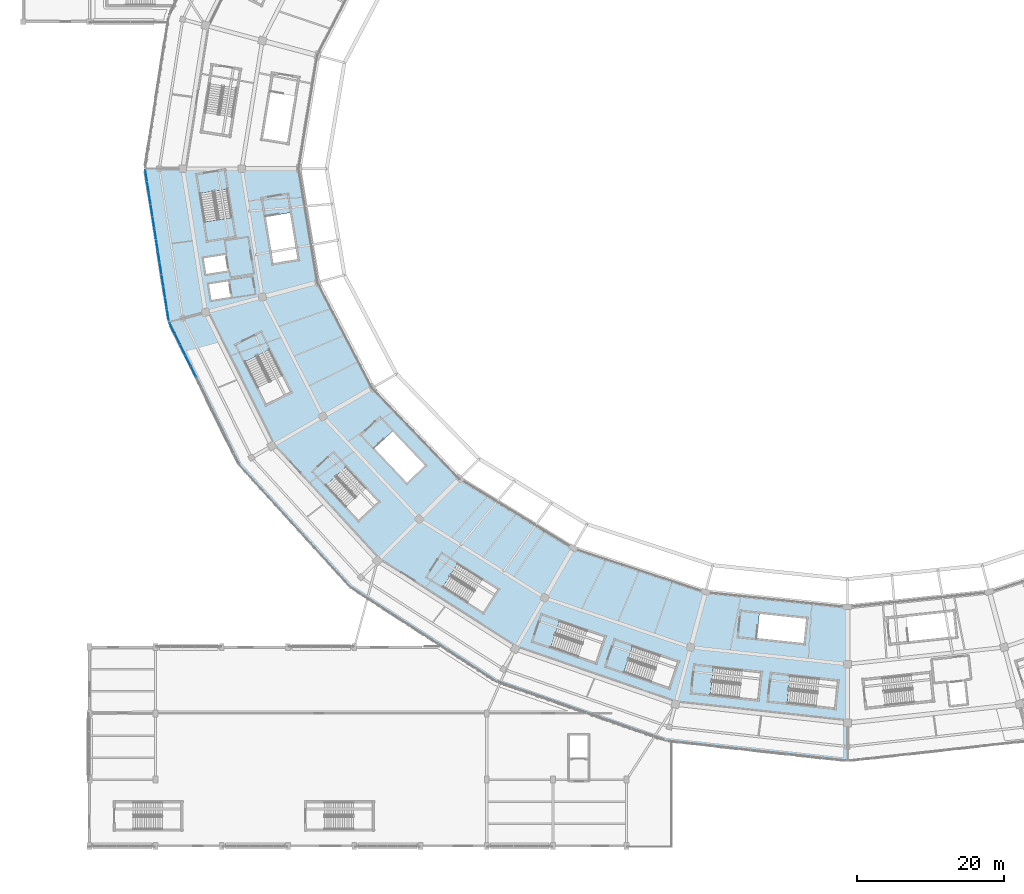
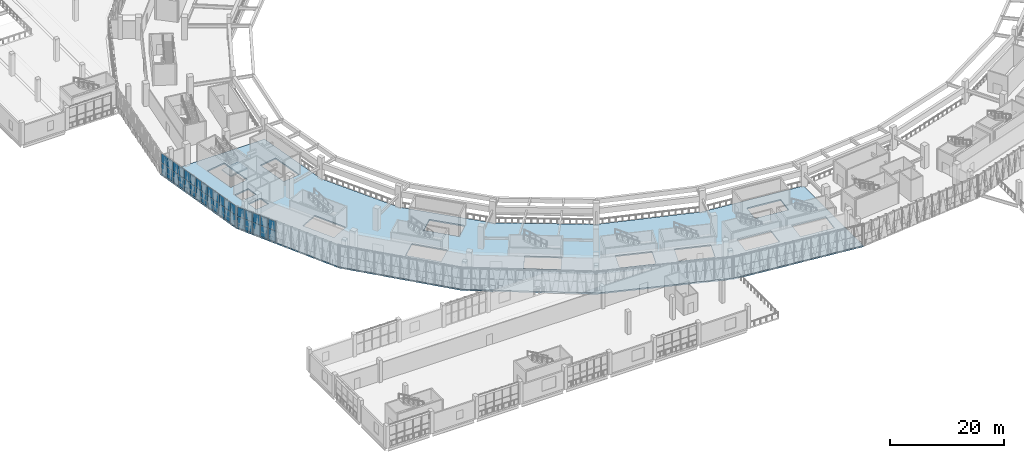
# One storey, part 79 of 179: 36 plates, 2 slabs, 3 elements without a shape of their own.
"""IFC4 building model written with IfcOpenShell, lengths in metres."""

from ifc_helpers import new_model, si_unit, direction, frame, origin, origin_2d, place, context, subcontext, project, spatial, polyline, rectangle, outline, extrude, material, layer, layer_set, type_object, element, aggregate, save


model = new_model("IFC4")

# Units and contexts
model_context = context("Model", 3, precision=1e-05, world=origin(), true_north=direction((0.0, 1.0)))
body_context = subcontext(model_context, "Body", "Model", "MODEL_VIEW")
ifc_project = project(units=[si_unit("LENGTHUNIT", "METRE"), si_unit("AREAUNIT", "SQUARE_METRE"), si_unit("VOLUMEUNIT", "CUBIC_METRE"), si_unit("PLANEANGLEUNIT", "RADIAN"), si_unit("MASSUNIT", "GRAM", prefix="KILO")], contexts=[model_context])

# Site, building, storey
site_placement = place(None, origin())
site = spatial("IfcSite", under=ifc_project, at=site_placement, CompositionType="ELEMENT")
building_placement = place(site_placement, origin())
building = spatial("IfcBuilding", under=site, at=building_placement, Name="Zevraka Park Crest Stadium", CompositionType="ELEMENT")
storey_placement = place(building_placement, frame((0.0, 0.0, 10.199951171875)))
storey = spatial("IfcBuildingStorey", under=building, at=storey_placement, Name="L02", CompositionType="ELEMENT", Elevation=10.199951171875)

# Curtain wall, plates
ifc_material_1 = material(Name="Anodised architectural aluminium and laminated safety glass", Category="aluminium")
curtain_wall_type_1 = type_object("IfcCurtainWallType", Name="CW06", PredefinedType="NOTDEFINED", material=ifc_material_1)
curtain_wall_1_placement = place(storey_placement, origin())
curtain_wall_1 = element("IfcCurtainWall", 1, at=curtain_wall_1_placement, inside=storey, type_object=curtain_wall_type_1, Name="Unitised Ring Curtain Wall CW06 L02-12", PredefinedType="NOTDEFINED")
ifc_material_2 = material(Name="Solar-control laminated double glazing", Category="glass")
ifc_layer_1 = layer(ifc_material_2, 0.028076171875)
ifc_layer_set_1 = layer_set([ifc_layer_1], Name="Solar-control laminated double glazing")
plate_type_1 = type_object("IfcPlateType", Name="CP06", PredefinedType="CURTAIN_PANEL", material=ifc_layer_set_1)
plate_1_placement = place(storey_placement, frame((16.72705078125, 91.06591796875, 0.070068359375), z_axis=(0.0, 0.0, 1.0), x_axis=(0.154274252598, -0.988028063865, 0.0)))
plate_1 = element("IfcPlate", 2, at=plate_1_placement, type_object=plate_type_1, Name="CW06 panel 1.1", PredefinedType="CURTAIN_PANEL", context=body_context, shape_type="SweptSolid", body=[
    extrude(rectangle(XDim=1.49560546875, YDim=0.028076171875, at=origin_2d()), origin(), (0.0, 0.0, 1.0), 2.294921875),
])
plate_2_placement = place(storey_placement, frame((16.72705078125, 91.06591796875, 2.43505859375), z_axis=(0.0, 0.0, 1.0), x_axis=(0.154274252598, -0.988028063865, 0.0)))
plate_2 = element("IfcPlate", 3, at=plate_2_placement, type_object=plate_type_1, Name="CW06 panel 1.2", PredefinedType="CURTAIN_PANEL", context=body_context, shape_type="SweptSolid", body=[
    extrude(rectangle(XDim=1.49560546875, YDim=0.028076171875, at=origin_2d()), origin(), (0.0, 0.0, 1.0), 1.9951171875),
])
plate_3_placement = place(storey_placement, frame((16.971435546875, 89.501953125, 0.070068359375), z_axis=(0.0, 0.0, 1.0), x_axis=(0.154274252598, -0.988028063865, 0.0)))
plate_3 = element("IfcPlate", 4, at=plate_3_placement, type_object=plate_type_1, Name="CW06 panel 2.1", PredefinedType="CURTAIN_PANEL", context=body_context, shape_type="SweptSolid", body=[
    extrude(rectangle(XDim=1.530517578125, YDim=0.028076171875, at=origin_2d()), origin(), (0.0, 0.0, 1.0), 2.294921875),
])
plate_4_placement = place(storey_placement, frame((16.971435546875, 89.501953125, 2.43505859375), z_axis=(0.0, 0.0, 1.0), x_axis=(0.154274252598, -0.988028063865, 0.0)))
plate_4 = element("IfcPlate", 5, at=plate_4_placement, type_object=plate_type_1, Name="CW06 panel 2.2", PredefinedType="CURTAIN_PANEL", context=body_context, shape_type="SweptSolid", body=[
    extrude(rectangle(XDim=1.530517578125, YDim=0.028076171875, at=origin_2d()), origin(), (0.0, 0.0, 1.0), 1.9951171875),
])
plate_5_placement = place(storey_placement, frame((17.21826171875, 87.920654296875, 0.070068359375), z_axis=(0.0, 0.0, 1.0), x_axis=(0.154274252598, -0.988028063865, 0.0)))
plate_5 = element("IfcPlate", 6, at=plate_5_placement, type_object=plate_type_1, Name="CW06 panel 3.1", PredefinedType="CURTAIN_PANEL", context=body_context, shape_type="SweptSolid", body=[
    extrude(rectangle(XDim=1.530517578125, YDim=0.028076171875, at=origin_2d()), origin(), (0.0, 0.0, 1.0), 2.294921875),
])
plate_6_placement = place(storey_placement, frame((17.21826171875, 87.920654296875, 2.43505859375), z_axis=(0.0, 0.0, 1.0), x_axis=(0.154274252598, -0.988028063865, 0.0)))
plate_6 = element("IfcPlate", 7, at=plate_6_placement, type_object=plate_type_1, Name="CW06 panel 3.2", PredefinedType="CURTAIN_PANEL", context=body_context, shape_type="SweptSolid", body=[
    extrude(rectangle(XDim=1.530517578125, YDim=0.028076171875, at=origin_2d()), origin(), (0.0, 0.0, 1.0), 1.9951171875),
])
plate_7_placement = place(storey_placement, frame((17.46533203125, 86.339111328125, 0.070068359375), z_axis=(0.0, 0.0, 1.0), x_axis=(0.154274252598, -0.988028063865, 0.0)))
plate_7 = element("IfcPlate", 8, at=plate_7_placement, type_object=plate_type_1, Name="CW06 panel 4.1", PredefinedType="CURTAIN_PANEL", context=body_context, shape_type="SweptSolid", body=[
    extrude(rectangle(XDim=1.530517578125, YDim=0.028076171875, at=origin_2d()), origin(), (0.0, 0.0, 1.0), 2.294921875),
])
plate_8_placement = place(storey_placement, frame((17.46533203125, 86.339111328125, 2.43505859375), z_axis=(0.0, 0.0, 1.0), x_axis=(0.154274252598, -0.988028063865, 0.0)))
plate_8 = element("IfcPlate", 9, at=plate_8_placement, type_object=plate_type_1, Name="CW06 panel 4.2", PredefinedType="CURTAIN_PANEL", context=body_context, shape_type="SweptSolid", body=[
    extrude(rectangle(XDim=1.530517578125, YDim=0.028076171875, at=origin_2d()), origin(), (0.0, 0.0, 1.0), 1.9951171875),
])
plate_9_placement = place(storey_placement, frame((17.712158203125, 84.7578125, 0.070068359375), z_axis=(0.0, 0.0, 1.0), x_axis=(0.154274252598, -0.988028063865, 0.0)))
plate_9 = element("IfcPlate", 10, at=plate_9_placement, type_object=plate_type_1, Name="CW06 panel 5.1", PredefinedType="CURTAIN_PANEL", context=body_context, shape_type="SweptSolid", body=[
    extrude(rectangle(XDim=1.530517578125, YDim=0.028076171875, at=origin_2d()), origin(), (0.0, 0.0, 1.0), 2.294921875),
])
plate_10_placement = place(storey_placement, frame((17.712158203125, 84.7578125, 2.43505859375), z_axis=(0.0, 0.0, 1.0), x_axis=(0.154274252598, -0.988028063865, 0.0)))
plate_10 = element("IfcPlate", 11, at=plate_10_placement, type_object=plate_type_1, Name="CW06 panel 5.2", PredefinedType="CURTAIN_PANEL", context=body_context, shape_type="SweptSolid", body=[
    extrude(rectangle(XDim=1.530517578125, YDim=0.028076171875, at=origin_2d()), origin(), (0.0, 0.0, 1.0), 1.9951171875),
])
plate_11_placement = place(storey_placement, frame((17.958984375, 83.17626953125, 0.070068359375), z_axis=(0.0, 0.0, 1.0), x_axis=(0.154274252598, -0.988028063865, 0.0)))
plate_11 = element("IfcPlate", 12, at=plate_11_placement, type_object=plate_type_1, Name="CW06 panel 6.1", PredefinedType="CURTAIN_PANEL", context=body_context, shape_type="SweptSolid", body=[
    extrude(rectangle(XDim=1.530517578125, YDim=0.028076171875, at=origin_2d()), origin(), (0.0, 0.0, 1.0), 2.294921875),
])
plate_12_placement = place(storey_placement, frame((17.958984375, 83.17626953125, 2.43505859375), z_axis=(0.0, 0.0, 1.0), x_axis=(0.154274252598, -0.988028063865, 0.0)))
plate_12 = element("IfcPlate", 13, at=plate_12_placement, type_object=plate_type_1, Name="CW06 panel 6.2", PredefinedType="CURTAIN_PANEL", context=body_context, shape_type="SweptSolid", body=[
    extrude(rectangle(XDim=1.530517578125, YDim=0.028076171875, at=origin_2d()), origin(), (0.0, 0.0, 1.0), 1.9951171875),
])
plate_13_placement = place(storey_placement, frame((18.2060546875, 81.594970703125, 0.070068359375), z_axis=(0.0, 0.0, 1.0), x_axis=(0.154274252598, -0.988028063865, 0.0)))
plate_13 = element("IfcPlate", 14, at=plate_13_placement, type_object=plate_type_1, Name="CW06 panel 7.1", PredefinedType="CURTAIN_PANEL", context=body_context, shape_type="SweptSolid", body=[
    extrude(rectangle(XDim=1.530517578125, YDim=0.028076171875, at=origin_2d()), origin(), (0.0, 0.0, 1.0), 2.294921875),
])
plate_14_placement = place(storey_placement, frame((18.2060546875, 81.594970703125, 2.43505859375), z_axis=(0.0, 0.0, 1.0), x_axis=(0.154274252598, -0.988028063865, 0.0)))
plate_14 = element("IfcPlate", 15, at=plate_14_placement, type_object=plate_type_1, Name="CW06 panel 7.2", PredefinedType="CURTAIN_PANEL", context=body_context, shape_type="SweptSolid", body=[
    extrude(rectangle(XDim=1.530517578125, YDim=0.028076171875, at=origin_2d()), origin(), (0.0, 0.0, 1.0), 1.9951171875),
])
plate_15_placement = place(storey_placement, frame((18.452880859375, 80.013671875, 0.070068359375), z_axis=(0.0, 0.0, 1.0), x_axis=(0.154274252598, -0.988028063865, 0.0)))
plate_15 = element("IfcPlate", 16, at=plate_15_placement, type_object=plate_type_1, Name="CW06 panel 8.1", PredefinedType="CURTAIN_PANEL", context=body_context, shape_type="SweptSolid", body=[
    extrude(rectangle(XDim=1.530517578125, YDim=0.028076171875, at=origin_2d()), origin(), (0.0, 0.0, 1.0), 2.294921875),
])
plate_16_placement = place(storey_placement, frame((18.452880859375, 80.013671875, 2.43505859375), z_axis=(0.0, 0.0, 1.0), x_axis=(0.154274252598, -0.988028063865, 0.0)))
plate_16 = element("IfcPlate", 17, at=plate_16_placement, type_object=plate_type_1, Name="CW06 panel 8.2", PredefinedType="CURTAIN_PANEL", context=body_context, shape_type="SweptSolid", body=[
    extrude(rectangle(XDim=1.530517578125, YDim=0.028076171875, at=origin_2d()), origin(), (0.0, 0.0, 1.0), 1.9951171875),
])
plate_17_placement = place(storey_placement, frame((18.699951171875, 78.43212890625, 0.070068359375), z_axis=(0.0, 0.0, 1.0), x_axis=(0.154274252598, -0.988028063865, 0.0)))
plate_17 = element("IfcPlate", 18, at=plate_17_placement, type_object=plate_type_1, Name="CW06 panel 9.1", PredefinedType="CURTAIN_PANEL", context=body_context, shape_type="SweptSolid", body=[
    extrude(rectangle(XDim=1.530517578125, YDim=0.028076171875, at=origin_2d()), origin(), (0.0, 0.0, 1.0), 2.294921875),
])
plate_18_placement = place(storey_placement, frame((18.699951171875, 78.43212890625, 2.43505859375), z_axis=(0.0, 0.0, 1.0), x_axis=(0.154274252598, -0.988028063865, 0.0)))
plate_18 = element("IfcPlate", 19, at=plate_18_placement, type_object=plate_type_1, Name="CW06 panel 9.2", PredefinedType="CURTAIN_PANEL", context=body_context, shape_type="SweptSolid", body=[
    extrude(rectangle(XDim=1.530517578125, YDim=0.028076171875, at=origin_2d()), origin(), (0.0, 0.0, 1.0), 1.9951171875),
])
plate_19_placement = place(storey_placement, frame((18.94677734375, 76.850830078125, 0.070068359375), z_axis=(0.0, 0.0, 1.0), x_axis=(0.154274252598, -0.988028063865, 0.0)))
plate_19 = element("IfcPlate", 20, at=plate_19_placement, type_object=plate_type_1, Name="CW06 panel 10.1", PredefinedType="CURTAIN_PANEL", context=body_context, shape_type="SweptSolid", body=[
    extrude(rectangle(XDim=1.530517578125, YDim=0.028076171875, at=origin_2d()), origin(), (0.0, 0.0, 1.0), 2.294921875),
])
plate_20_placement = place(storey_placement, frame((18.94677734375, 76.850830078125, 2.43505859375), z_axis=(0.0, 0.0, 1.0), x_axis=(0.154274252598, -0.988028063865, 0.0)))
plate_20 = element("IfcPlate", 21, at=plate_20_placement, type_object=plate_type_1, Name="CW06 panel 10.2", PredefinedType="CURTAIN_PANEL", context=body_context, shape_type="SweptSolid", body=[
    extrude(rectangle(XDim=1.530517578125, YDim=0.028076171875, at=origin_2d()), origin(), (0.0, 0.0, 1.0), 1.9951171875),
])
plate_21_placement = place(storey_placement, frame((19.193603515625, 75.26953125, 0.070068359375), z_axis=(0.0, 0.0, 1.0), x_axis=(0.154274252598, -0.988028063865, 0.0)))
plate_21 = element("IfcPlate", 22, at=plate_21_placement, type_object=plate_type_1, Name="CW06 panel 11.1", PredefinedType="CURTAIN_PANEL", context=body_context, shape_type="SweptSolid", body=[
    extrude(rectangle(XDim=1.530517578125, YDim=0.028076171875, at=origin_2d()), origin(), (0.0, 0.0, 1.0), 2.294921875),
])
plate_22_placement = place(storey_placement, frame((19.193603515625, 75.26953125, 2.43505859375), z_axis=(0.0, 0.0, 1.0), x_axis=(0.154274252598, -0.988028063865, 0.0)))
plate_22 = element("IfcPlate", 23, at=plate_22_placement, type_object=plate_type_1, Name="CW06 panel 11.2", PredefinedType="CURTAIN_PANEL", context=body_context, shape_type="SweptSolid", body=[
    extrude(rectangle(XDim=1.530517578125, YDim=0.028076171875, at=origin_2d()), origin(), (0.0, 0.0, 1.0), 1.9951171875),
])
plate_23_placement = place(storey_placement, frame((19.440673828125, 73.68798828125, 0.070068359375), z_axis=(0.0, 0.0, 1.0), x_axis=(0.154274252598, -0.988028063865, 0.0)))
plate_23 = element("IfcPlate", 24, at=plate_23_placement, type_object=plate_type_1, Name="CW06 panel 12.1", PredefinedType="CURTAIN_PANEL", context=body_context, shape_type="SweptSolid", body=[
    extrude(rectangle(XDim=1.530517578125, YDim=0.028076171875, at=origin_2d()), origin(), (0.0, 0.0, 1.0), 2.294921875),
])
plate_24_placement = place(storey_placement, frame((19.440673828125, 73.68798828125, 2.43505859375), z_axis=(0.0, 0.0, 1.0), x_axis=(0.154274252598, -0.988028063865, 0.0)))
plate_24 = element("IfcPlate", 25, at=plate_24_placement, type_object=plate_type_1, Name="CW06 panel 12.2", PredefinedType="CURTAIN_PANEL", context=body_context, shape_type="SweptSolid", body=[
    extrude(rectangle(XDim=1.530517578125, YDim=0.028076171875, at=origin_2d()), origin(), (0.0, 0.0, 1.0), 1.9951171875),
])
plate_25_placement = place(storey_placement, frame((19.684814453125, 72.1240234375, 0.070068359375), z_axis=(0.0, 0.0, 1.0), x_axis=(0.154274252598, -0.988028063865, 0.0)))
plate_25 = element("IfcPlate", 26, at=plate_25_placement, type_object=plate_type_1, Name="CW06 panel 13.1", PredefinedType="CURTAIN_PANEL", context=body_context, shape_type="SweptSolid", body=[
    extrude(rectangle(XDim=1.49560546875, YDim=0.028076171875, at=origin_2d()), origin(), (0.0, 0.0, 1.0), 2.294921875),
])
plate_26_placement = place(storey_placement, frame((19.684814453125, 72.1240234375, 2.43505859375), z_axis=(0.0, 0.0, 1.0), x_axis=(0.154274252598, -0.988028063865, 0.0)))
plate_26 = element("IfcPlate", 27, at=plate_26_placement, type_object=plate_type_1, Name="CW06 panel 13.2", PredefinedType="CURTAIN_PANEL", context=body_context, shape_type="SweptSolid", body=[
    extrude(rectangle(XDim=1.49560546875, YDim=0.028076171875, at=origin_2d()), origin(), (0.0, 0.0, 1.0), 1.9951171875),
])
aggregate(curtain_wall_1, [plate_1, plate_2, plate_3, plate_4, plate_5, plate_6, plate_7, plate_8, plate_9, plate_10, plate_11, plate_12, plate_13, plate_14, plate_15, plate_16, plate_17, plate_18, plate_19, plate_20, plate_21, plate_22, plate_23, plate_24, plate_25, plate_26])

ifc_material_3 = material(Name="Anodised architectural aluminium and laminated safety glass", Category="aluminium")
curtain_wall_type_2 = type_object("IfcCurtainWallType", Name="CW07", PredefinedType="NOTDEFINED", material=ifc_material_3)
curtain_wall_2_placement = place(storey_placement, origin())
curtain_wall_2 = element("IfcCurtainWall", 28, at=curtain_wall_2_placement, inside=storey, type_object=curtain_wall_type_2, Name="Unitised Ring Curtain Wall CW07 L02-13", PredefinedType="NOTDEFINED")
ifc_material_4 = material(Name="Solar-control laminated double glazing", Category="glass")
ifc_layer_2 = layer(ifc_material_4, 0.028076171875)
ifc_layer_set_2 = layer_set([ifc_layer_2], Name="Solar-control laminated double glazing")
plate_type_2 = type_object("IfcPlateType", Name="CP07", PredefinedType="CURTAIN_PANEL", material=ifc_layer_set_2)
plate_27_placement = place(storey_placement, frame((20.2568359375, 70.324462890625, 0.06005859375), z_axis=(0.0, 0.0, 1.0), x_axis=(0.441021032455, -0.897496768201, 0.0)))
plate_27 = element("IfcPlate", 29, at=plate_27_placement, type_object=plate_type_2, Name="CW07 panel 1.1", PredefinedType="CURTAIN_PANEL", context=body_context, shape_type="SweptSolid", body=[
    extrude(rectangle(XDim=1.552490234375, YDim=0.028076171875, at=origin_2d()), origin(), (0.0, 0.0, 1.0), 2.31005859375),
])
plate_28_placement = place(storey_placement, frame((20.2568359375, 70.324462890625, 2.43017578125), z_axis=(0.0, 0.0, 1.0), x_axis=(0.441021032455, -0.897496768201, 0.0)))
plate_28 = element("IfcPlate", 30, at=plate_28_placement, type_object=plate_type_2, Name="CW07 panel 1.2", PredefinedType="CURTAIN_PANEL", context=body_context, shape_type="SweptSolid", body=[
    extrude(rectangle(XDim=1.552490234375, YDim=0.028076171875, at=origin_2d()), origin(), (0.0, 0.0, 1.0), 2.010009765625),
])
plate_29_placement = place(storey_placement, frame((20.974609375, 68.86376953125, 0.06005859375), z_axis=(0.0, 0.0, 1.0), x_axis=(0.441021032455, -0.897496768201, 0.0)))
plate_29 = element("IfcPlate", 31, at=plate_29_placement, type_object=plate_type_2, Name="CW07 panel 2.1", PredefinedType="CURTAIN_PANEL", context=body_context, shape_type="SweptSolid", body=[
    extrude(rectangle(XDim=1.58251953125, YDim=0.028076171875, at=origin_2d()), origin(), (0.0, 0.0, 1.0), 2.31005859375),
])
plate_30_placement = place(storey_placement, frame((20.974609375, 68.86376953125, 2.43017578125), z_axis=(0.0, 0.0, 1.0), x_axis=(0.441021032455, -0.897496768201, 0.0)))
plate_30 = element("IfcPlate", 32, at=plate_30_placement, type_object=plate_type_2, Name="CW07 panel 2.2", PredefinedType="CURTAIN_PANEL", context=body_context, shape_type="SweptSolid", body=[
    extrude(rectangle(XDim=1.58251953125, YDim=0.028076171875, at=origin_2d()), origin(), (0.0, 0.0, 1.0), 2.010009765625),
])
plate_31_placement = place(storey_placement, frame((21.698974609375, 67.3896484375, 0.06005859375), z_axis=(0.0, 0.0, 1.0), x_axis=(0.441021032455, -0.897496768201, 0.0)))
plate_31 = element("IfcPlate", 33, at=plate_31_placement, type_object=plate_type_2, Name="CW07 panel 3.1", PredefinedType="CURTAIN_PANEL", context=body_context, shape_type="SweptSolid", body=[
    extrude(rectangle(XDim=1.58251953125, YDim=0.028076171875, at=origin_2d()), origin(), (0.0, 0.0, 1.0), 2.31005859375),
])
plate_32_placement = place(storey_placement, frame((21.698974609375, 67.3896484375, 2.43017578125), z_axis=(0.0, 0.0, 1.0), x_axis=(0.441021032455, -0.897496768201, 0.0)))
plate_32 = element("IfcPlate", 34, at=plate_32_placement, type_object=plate_type_2, Name="CW07 panel 3.2", PredefinedType="CURTAIN_PANEL", context=body_context, shape_type="SweptSolid", body=[
    extrude(rectangle(XDim=1.58251953125, YDim=0.028076171875, at=origin_2d()), origin(), (0.0, 0.0, 1.0), 2.010009765625),
])
plate_33_placement = place(storey_placement, frame((22.42333984375, 65.91552734375, 0.06005859375), z_axis=(0.0, 0.0, 1.0), x_axis=(0.441021032455, -0.897496768201, 0.0)))
plate_33 = element("IfcPlate", 35, at=plate_33_placement, type_object=plate_type_2, Name="CW07 panel 4.1", PredefinedType="CURTAIN_PANEL", context=body_context, shape_type="SweptSolid", body=[
    extrude(rectangle(XDim=1.58251953125, YDim=0.028076171875, at=origin_2d()), origin(), (0.0, 0.0, 1.0), 2.31005859375),
])
plate_34_placement = place(storey_placement, frame((22.42333984375, 65.91552734375, 2.43017578125), z_axis=(0.0, 0.0, 1.0), x_axis=(0.441021032455, -0.897496768201, 0.0)))
plate_34 = element("IfcPlate", 36, at=plate_34_placement, type_object=plate_type_2, Name="CW07 panel 4.2", PredefinedType="CURTAIN_PANEL", context=body_context, shape_type="SweptSolid", body=[
    extrude(rectangle(XDim=1.58251953125, YDim=0.028076171875, at=origin_2d()), origin(), (0.0, 0.0, 1.0), 2.010009765625),
])
plate_35_placement = place(storey_placement, frame((23.147705078125, 64.44140625, 0.06005859375), z_axis=(0.0, 0.0, 1.0), x_axis=(0.441021032455, -0.897496768201, 0.0)))
plate_35 = element("IfcPlate", 37, at=plate_35_placement, type_object=plate_type_2, Name="CW07 panel 5.1", PredefinedType="CURTAIN_PANEL", context=body_context, shape_type="SweptSolid", body=[
    extrude(rectangle(XDim=1.58251953125, YDim=0.028076171875, at=origin_2d()), origin(), (0.0, 0.0, 1.0), 2.31005859375),
])
plate_36_placement = place(storey_placement, frame((23.147705078125, 64.44140625, 2.43017578125), z_axis=(0.0, 0.0, 1.0), x_axis=(0.441021032455, -0.897496768201, 0.0)))
plate_36 = element("IfcPlate", 38, at=plate_36_placement, type_object=plate_type_2, Name="CW07 panel 5.2", PredefinedType="CURTAIN_PANEL", context=body_context, shape_type="SweptSolid", body=[
    extrude(rectangle(XDim=1.58251953125, YDim=0.028076171875, at=origin_2d()), origin(), (0.0, 0.0, 1.0), 2.010009765625),
])
aggregate(curtain_wall_2, [plate_27, plate_28, plate_29, plate_30, plate_31, plate_32, plate_33, plate_34, plate_35, plate_36])

# Slab
ifc_material_5 = material(Name="Concrete C35/45", Category="concrete")
ifc_layer_3 = layer(ifc_material_5, 0.280029296875)
ifc_layer_set_3 = layer_set([ifc_layer_3], Name="Concrete C35/45")
slab_type_1 = type_object("IfcSlabType", Name="FS02", PredefinedType="FLOOR", material=ifc_layer_set_3)
slab_1_placement = place(storey_placement, frame((0.0, 0.0, -0.280029296875)))
element("IfcSlab", 39, at=slab_1_placement, inside=storey, type_object=slab_type_1, Name="Bowl Concourse Ring Slab L02 Q3-SW-1", PredefinedType="FLOOR", context=body_context, shape_type="SweptSolid", body=[
    extrude(outline(polyline([(40.0390625, 76.60009765625), (47.48095703125, 62.25), (59.321044921875, 49.927001953125), (74.75, 40.470947265625), (92.718017578125, 34.527099609375), (112.0, 32.5), (112.0, 11.5), (87.282958984375, 14.242919921875), (64.25, 22.284912109375), (44.470947265625, 35.077880859375), (29.294921875, 51.75), (19.75390625, 71.1650390625), (16.5, 92.0), (37.5, 92.0), (40.0390625, 76.60009765625)]), holes=[polyline([(48.339111328125, 46.748046875), (43.904052734375, 51.527099609375), (41.14794921875, 48.969970703125), (45.5830078125, 44.19091796875), (48.339111328125, 46.748046875)]), polyline([(52.158935546875, 49.298095703125), (54.66796875, 51.678955078125), (50.215087890625, 56.373046875), (47.705078125, 53.990966796875), (52.158935546875, 49.298095703125)]), polyline([(33.02294921875, 59.947021484375), (36.384033203125, 61.631103515625), (33.464111328125, 67.4599609375), (30.10205078125, 65.77587890625), (33.02294921875, 59.947021484375)]), polyline([(28.23291015625, 74.580078125), (27.887939453125, 76.7529296875), (25.220947265625, 76.330078125), (25.56591796875, 74.156982421875), (28.23291015625, 74.580078125)]), polyline([(24.85302734375, 77.68896484375), (27.81591796875, 78.159912109375), (27.470947265625, 80.3330078125), (24.508056640625, 79.862060546875), (24.85302734375, 77.68896484375)]), polyline([(33.947021484375, 79.10009765625), (37.362060546875, 79.656005859375), (36.322998046875, 86.0419921875), (32.907958984375, 85.486083984375), (33.947021484375, 79.10009765625)]), polyline([(28.76806640625, 82.80810546875), (27.742919921875, 89.2470703125), (24.030029296875, 88.655029296875), (25.054931640625, 82.217041015625), (28.76806640625, 82.80810546875)]), polyline([(110.306884765625, 18.694091796875), (110.714111328125, 22.431884765625), (104.23193359375, 23.136962890625), (103.824951171875, 19.39892578125), (110.306884765625, 18.694091796875)]), polyline([(99.868896484375, 19.830078125), (100.27587890625, 23.568115234375), (93.7939453125, 24.27294921875), (93.386962890625, 20.534912109375), (99.868896484375, 19.830078125)]), polyline([(87.781982421875, 21.470947265625), (89.0, 25.028076171875), (82.83203125, 27.14111328125), (81.614013671875, 23.5830078125), (87.781982421875, 21.470947265625)]), polyline([(77.847900390625, 24.8720703125), (79.06591796875, 28.428955078125), (72.89794921875, 30.5419921875), (71.679931640625, 26.98388671875), (77.847900390625, 24.8720703125)]), polyline([(106.12109375, 27.486083984375), (106.487060546875, 30.926025390625), (100.052978515625, 31.611083984375), (99.68701171875, 28.169921875), (106.12109375, 27.486083984375)]), polyline([(62.5458984375, 31.6708984375), (64.56005859375, 34.845947265625), (59.054931640625, 38.339111328125), (57.0400390625, 35.1640625), (62.5458984375, 31.6708984375)])]), origin(), (0.0, 0.0, 1.0), 0.280029296875),
])

# Stair, slab
ifc_material_6 = material(Name="Concrete C35/45", Category="concrete")
stair_type = type_object("IfcStairType", Name="STA2", PredefinedType="HALF_TURN_STAIR", material=ifc_material_6)
stair_placement = place(storey_placement, origin())
stair = element("IfcStair", 40, at=stair_placement, inside=storey, type_object=stair_type, Name="L02 Protected Concourse Exit Stair ST13", PredefinedType="HALF_TURN_STAIR")
ifc_material_7 = material(Name="Concrete C35/45", Category="concrete")
ifc_layer_4 = layer(ifc_material_7, 0.199951171875)
ifc_layer_set_4 = layer_set([ifc_layer_4], Name="Concrete C35/45")
slab_type_2 = type_object("IfcSlabType", Name="LS01", PredefinedType="LANDING", material=ifc_layer_set_4)
slab_2_placement = place(storey_placement, frame((0.0, 0.0, 2.199951171875)))
slab_2 = element("IfcSlab", 41, at=slab_2_placement, type_object=slab_type_2, Name="ST13 landing 1", PredefinedType="LANDING", context=body_context, shape_type="SweptSolid", body=[
    extrude(outline(polyline([(24.644775390625, 84.794189453125), (25.05517578125, 82.216552734375), (28.7685546875, 82.807861328125), (28.35791015625, 85.385498046875), (24.644775390625, 84.794189453125)])), origin(), (0.0, 0.0, 1.0), 0.2001953125),
])
aggregate(stair, [slab_2])

save(model, "model.ifc")
